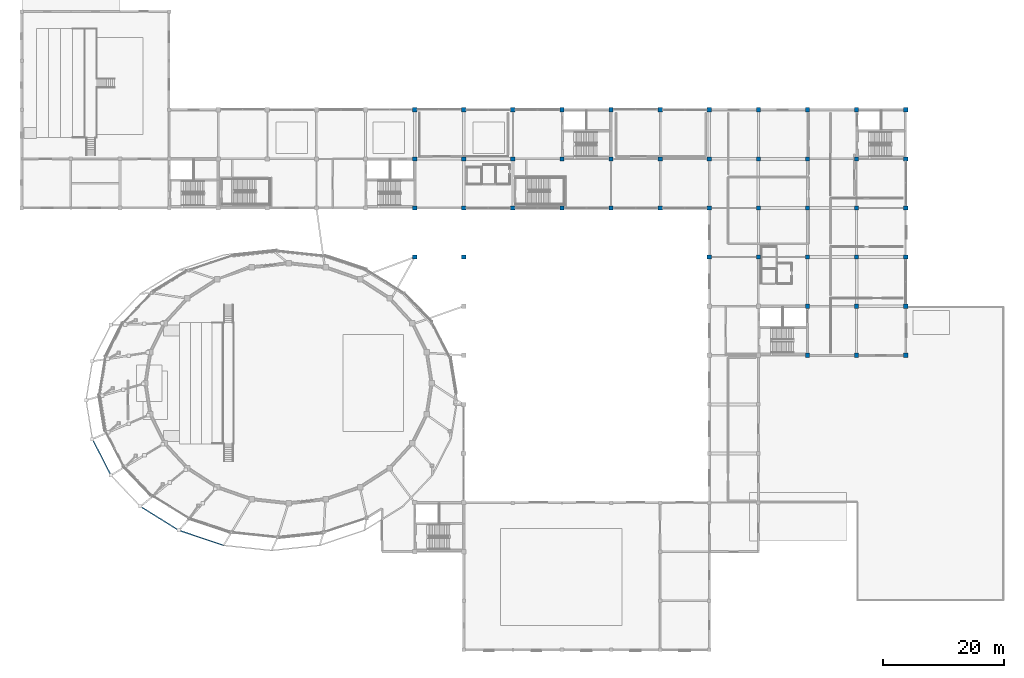
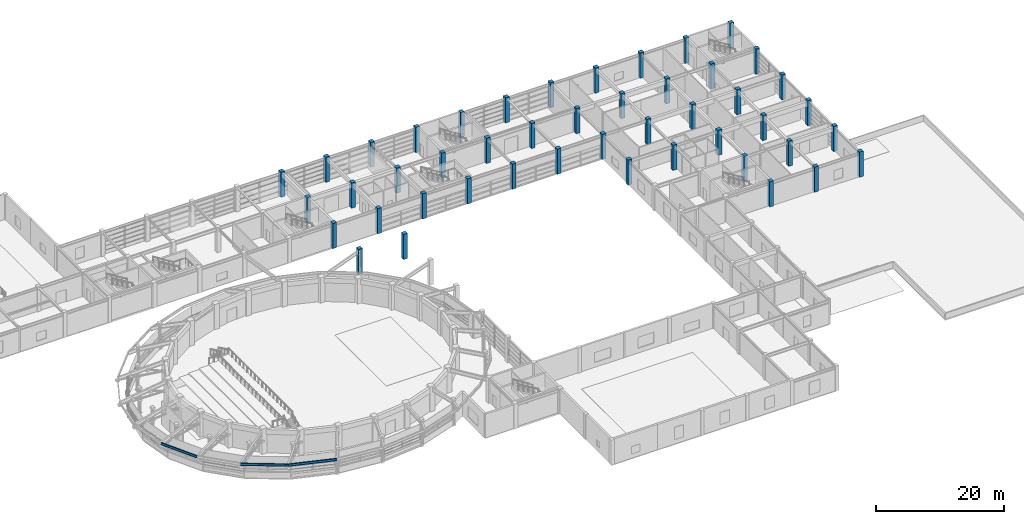
# One storey, part 10 of 56: 46 columns, 3 beams.
"""IFC4 building model written with IfcOpenShell, lengths in metres."""

from ifc_helpers import new_model, si_unit, direction, frame, origin, origin_2d, place, context, subcontext, project, spatial, rectangle, i_section, extrude, material, material_profile, profile_set, type_object, element, save


model = new_model("IFC4")

# Units and contexts
model_context = context("Model", 3, precision=1e-05, world=origin(), true_north=direction((0.0, 1.0)))
body_context = subcontext(model_context, "Body", "Model", "MODEL_VIEW")
ifc_project = project(units=[si_unit("LENGTHUNIT", "METRE"), si_unit("AREAUNIT", "SQUARE_METRE"), si_unit("VOLUMEUNIT", "CUBIC_METRE"), si_unit("PLANEANGLEUNIT", "RADIAN"), si_unit("MASSUNIT", "GRAM", prefix="KILO")], contexts=[model_context])

# Site, building, storey
site_placement = place(None, origin())
site = spatial("IfcSite", under=ifc_project, at=site_placement, CompositionType="ELEMENT")
building_placement = place(site_placement, origin())
building = spatial("IfcBuilding", under=site, at=building_placement, Name="Parian Resonance Hall", CompositionType="ELEMENT")
storey_placement = place(building_placement, frame((0.0, 0.0, 5.39990234375)))
storey = spatial("IfcBuildingStorey", under=building, at=storey_placement, Name="L01", CompositionType="ELEMENT", Elevation=5.39990234375)

# Columns
ifc_material_1 = material(Name="Concrete C40/50", Category="concrete")
ifc_material_profile_1 = material_profile(ifc_material_1, rectangle(XDim=0.699951171875, YDim=0.699951171875, at=origin_2d()), Name="RC-COL-700x700")
ifc_profile_set_1 = profile_set([ifc_material_profile_1], Name="Concrete C40/50")
column_type = type_object("IfcColumnType", Name="COL-RC700", PredefinedType="COLUMN", material=ifc_profile_set_1)
for number, where, z_axis, x_axis, name in (
    (1, (64.800048828125, 64.800048828125, 0.0), (0.0, 0.0, 1.0), (1.0, 0.0, 0.0), "Column G09-09 L01"),
    (2, (64.800048828125, 72.89990234375, 0.0), (0.0, 0.0, 1.0), (1.0, 0.0, 0.0), "Column G09-10 L01"),
    (3, (64.800048828125, 81.0, 0.0), (0.0, 0.0, 1.0), (1.0, 0.0, 0.0), "Column G09-11 L01"),
    (4, (64.800048828125, 89.10009765625, 0.0), (0.0, 0.0, 1.0), (1.0, 0.0, 0.0), "Column G09-12 L01"),
    (5, (72.89990234375, 64.800048828125, 0.0), (0.0, 0.0, 1.0), (1.0, 0.0, 0.0), "Column G10-09 L01"),
    (6, (72.89990234375, 72.89990234375, 0.0), (0.0, 0.0, 1.0), (1.0, 0.0, 0.0), "Column G10-10 L01"),
    (7, (72.89990234375, 81.0, 0.0), (0.0, 0.0, 1.0), (1.0, 0.0, 0.0), "Column G10-11 L01"),
    (8, (72.89990234375, 89.10009765625, 0.0), (0.0, 0.0, 1.0), (1.0, 0.0, 0.0), "Column G10-12 L01"),
    (9, (81.0, 72.89990234375, 0.0), (0.0, 0.0, 1.0), (1.0, 0.0, 0.0), "Column G11-10 L01"),
    (10, (81.0, 81.0, 0.0), (0.0, 0.0, 1.0), (1.0, 0.0, 0.0), "Column G11-11 L01"),
    (11, (81.0, 89.10009765625, 0.0), (0.0, 0.0, 1.0), (1.0, 0.0, 0.0), "Column G11-12 L01"),
    (12, (89.10009765625, 72.89990234375, 0.0), (0.0, 0.0, 1.0), (1.0, 0.0, 0.0), "Column G12-10 L01"),
    (13, (89.10009765625, 81.0, 0.0), (0.0, 0.0, 1.0), (1.0, 0.0, 0.0), "Column G12-11 L01"),
    (14, (89.10009765625, 89.10009765625, 0.0), (0.0, 0.0, 1.0), (1.0, 0.0, 0.0), "Column G12-12 L01"),
    (15, (97.199951171875, 72.89990234375, 0.0), (0.0, 0.0, 1.0), (1.0, 0.0, 0.0), "Column G13-10 L01"),
    (16, (97.199951171875, 81.0, 0.0), (0.0, 0.0, 1.0), (1.0, 0.0, 0.0), "Column G13-11 L01"),
    (17, (97.199951171875, 89.10009765625, 0.0), (0.0, 0.0, 1.0), (1.0, 0.0, 0.0), "Column G13-12 L01"),
    (18, (105.300048828125, 72.89990234375, 0.0), (0.0, 0.0, 1.0), (1.0, 0.0, 0.0), "Column G14-10 L01"),
    (19, (105.300048828125, 81.0, 0.0), (0.0, 0.0, 1.0), (1.0, 0.0, 0.0), "Column G14-11 L01"),
    (20, (105.300048828125, 89.10009765625, 0.0), (0.0, 0.0, 1.0), (1.0, 0.0, 0.0), "Column G14-12 L01"),
    (21, (113.39990234375, 64.800048828125, 0.0), (0.0, 0.0, 1.0), (1.0, 0.0, 0.0), "Column G15-09 L01"),
    (22, (113.39990234375, 72.89990234375, 0.0), (0.0, 0.0, 1.0), (1.0, 0.0, 0.0), "Column G15-10 L01"),
    (23, (113.39990234375, 81.0, 0.0), (0.0, 0.0, 1.0), (1.0, 0.0, 0.0), "Column G15-11 L01"),
    (24, (113.39990234375, 89.10009765625, 0.0), (0.0, 0.0, 1.0), (1.0, 0.0, 0.0), "Column G15-12 L01"),
    (25, (121.5, 64.800048828125, 0.0), (0.0, 0.0, 1.0), (1.0, 0.0, 0.0), "Column G16-09 L01"),
    (26, (121.5, 72.89990234375, 0.0), (0.0, 0.0, 1.0), (1.0, 0.0, 0.0), "Column G16-10 L01"),
    (27, (121.5, 81.0, 0.0), (0.0, 0.0, 1.0), (1.0, 0.0, 0.0), "Column G16-11 L01"),
    (28, (121.5, 89.10009765625, 0.0), (0.0, 0.0, 1.0), (1.0, 0.0, 0.0), "Column G16-12 L01"),
    (29, (129.60009765625, 48.60009765625, 0.0), (0.0, 0.0, 1.0), (1.0, 0.0, 0.0), "Column G17-07 L01"),
    (30, (129.60009765625, 56.699951171875, 0.0), (0.0, 0.0, 1.0), (1.0, 0.0, 0.0), "Column G17-08 L01"),
    (31, (129.60009765625, 64.800048828125, 0.0), (0.0, 0.0, 1.0), (1.0, 0.0, 0.0), "Column G17-09 L01"),
    (32, (129.60009765625, 72.89990234375, 0.0), (0.0, 0.0, 1.0), (1.0, 0.0, 0.0), "Column G17-10 L01"),
    (33, (129.60009765625, 81.0, 0.0), (0.0, 0.0, 1.0), (1.0, 0.0, 0.0), "Column G17-11 L01"),
    (34, (129.60009765625, 89.10009765625, 0.0), (0.0, 0.0, 1.0), (1.0, 0.0, 0.0), "Column G17-12 L01"),
    (35, (137.699951171875, 48.60009765625, 0.0), (0.0, 0.0, 1.0), (1.0, 0.0, 0.0), "Column G18-07 L01"),
    (36, (137.699951171875, 56.699951171875, 0.0), (0.0, 0.0, 1.0), (1.0, 0.0, 0.0), "Column G18-08 L01"),
    (37, (137.699951171875, 64.800048828125, 0.0), (0.0, 0.0, 1.0), (1.0, 0.0, 0.0), "Column G18-09 L01"),
    (38, (137.699951171875, 72.89990234375, 0.0), (0.0, 0.0, 1.0), (1.0, 0.0, 0.0), "Column G18-10 L01"),
    (39, (137.699951171875, 81.0, 0.0), (0.0, 0.0, 1.0), (1.0, 0.0, 0.0), "Column G18-11 L01"),
    (40, (137.699951171875, 89.10009765625, 0.0), (0.0, 0.0, 1.0), (1.0, 0.0, 0.0), "Column G18-12 L01"),
    (41, (145.800048828125, 48.60009765625, 0.0), (0.0, 0.0, 1.0), (1.0, 0.0, 0.0), "Column G19-07 L01"),
    (42, (145.800048828125, 56.699951171875, 0.0), (0.0, 0.0, 1.0), (1.0, 0.0, 0.0), "Column G19-08 L01"),
    (43, (145.800048828125, 64.800048828125, 0.0), (0.0, 0.0, 1.0), (1.0, 0.0, 0.0), "Column G19-09 L01"),
    (44, (145.800048828125, 72.89990234375, 0.0), (0.0, 0.0, 1.0), (1.0, 0.0, 0.0), "Column G19-10 L01"),
    (45, (145.800048828125, 81.0, 0.0), (0.0, 0.0, 1.0), (1.0, 0.0, 0.0), "Column G19-11 L01"),
    (46, (145.800048828125, 89.10009765625, 0.0), (0.0, 0.0, 1.0), (1.0, 0.0, 0.0), "Column G19-12 L01"),
):
    element("IfcColumn", number, at=place(storey_placement, frame(where, z_axis=z_axis, x_axis=x_axis)), inside=storey, type_object=column_type, Name=name, PredefinedType="COLUMN", context=body_context, shape_type="SweptSolid", body=[
        extrude(rectangle(XDim=0.699951171875, YDim=0.699951171875, at=origin_2d()), origin(), (0.0, 0.0, 1.0), 4.800048828125),
    ])

# Beams
ifc_material_2 = material(Name="Steel S355", Category="steel")
ifc_material_profile_2 = material_profile(ifc_material_2, i_section(OverallWidth=0.194091796875, OverallDepth=0.468994140625, WebThickness=0.0126953125, FlangeThickness=0.0205078125, FilletRadius=0.01513671875, at=origin_2d()), Name="W460x106")
ifc_profile_set_2 = profile_set([ifc_material_profile_2], Name="Steel S355")
beam_type = type_object("IfcBeamType", Name="BM-W460x106", PredefinedType="SPANDREL", material=ifc_profile_set_2)
beam_1_placement = place(storey_placement, frame((11.642578125, 34.78125, 4.295654296875), z_axis=(0.455119384815, -0.890430427134, 0.0), x_axis=(0.890430427134, 0.455119384815, 0.0)))
element("IfcBeam", 47, at=beam_1_placement, inside=storey, type_object=beam_type, Name="Elliptical R2 perimeter spandrel beam 14", PredefinedType="SPANDREL", context=body_context, shape_type="SweptSolid", body=[
    extrude(i_section(OverallWidth=0.194091796875, OverallDepth=0.468994140625, WebThickness=0.0126953125, FlangeThickness=0.0205078125, FilletRadius=0.01513671875, at=origin_2d()), origin(), (0.0, 0.0, 1.0), 6.71728515625),
])
beam_2_placement = place(storey_placement, frame((19.5625, 23.663818359375, 4.295654296875), z_axis=(0.849183428044, -0.528098007509, 0.0), x_axis=(0.528098007509, 0.849183428044, 0.0)))
element("IfcBeam", 48, at=beam_2_placement, inside=storey, type_object=beam_type, Name="Elliptical R2 perimeter spandrel beam 16", PredefinedType="SPANDREL", context=body_context, shape_type="SweptSolid", body=[
    extrude(i_section(OverallWidth=0.194091796875, OverallDepth=0.468994140625, WebThickness=0.0126953125, FlangeThickness=0.0205078125, FilletRadius=0.01513671875, at=origin_2d()), origin(), (0.0, 0.0, 1.0), 7.462890625),
])
beam_3_placement = place(storey_placement, frame((25.89990234375, 19.72265625, 4.295654296875), z_axis=(0.948006883481, -0.318249821481, 0.0), x_axis=(0.318249821481, 0.948006883481, 0.0)))
element("IfcBeam", 49, at=beam_3_placement, inside=storey, type_object=beam_type, Name="Elliptical R2 perimeter spandrel beam 17", PredefinedType="SPANDREL", context=body_context, shape_type="SweptSolid", body=[
    extrude(i_section(OverallWidth=0.194091796875, OverallDepth=0.468994140625, WebThickness=0.0126953125, FlangeThickness=0.0205078125, FilletRadius=0.01513671875, at=origin_2d()), origin(), (0.0, 0.0, 1.0), 7.784912109375),
])

save(model, "model.ifc")
